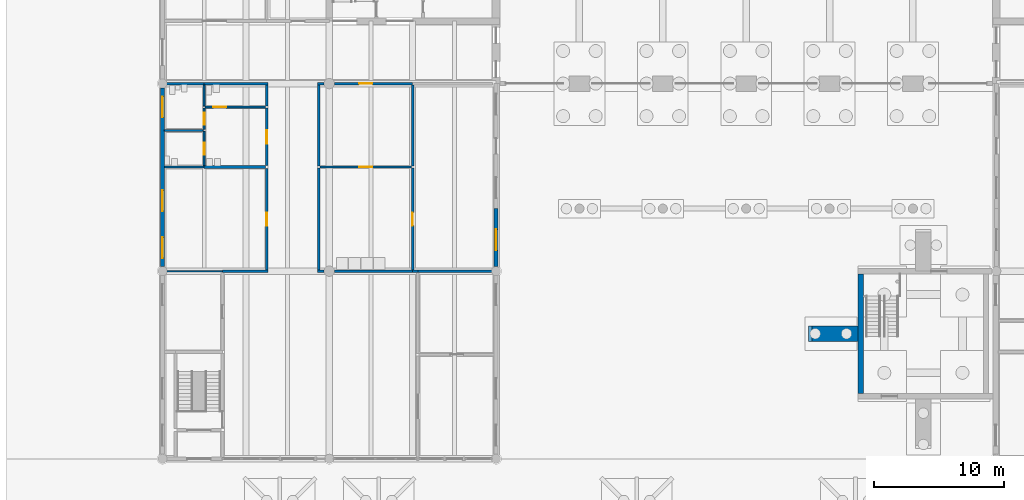
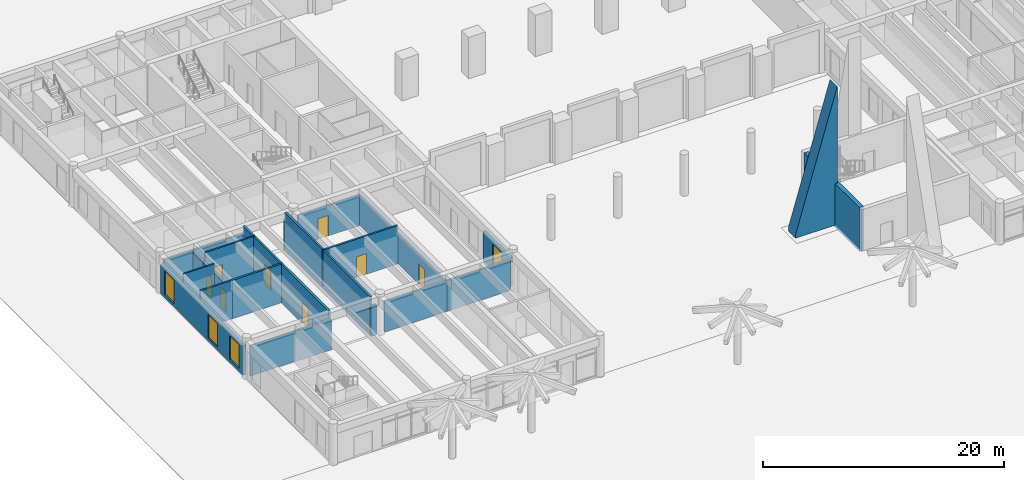
# One storey, part 13 of 28: 29 walls, 8 doors, 4 windows, 12 openings.
"""IFC4 building model written with IfcOpenShell, lengths in metres."""

from ifc_helpers import new_model, si_unit, direction, frame, frame_2d, origin, place, context, subcontext, project, spatial, polyline, rectangle, outline, extrude, material, layer, layer_set, type_object, element, fill, save


model = new_model("IFC4")

# Units and contexts
model_context = context("Model", 3, precision=1e-05, world=origin(), true_north=direction((0.0, 1.0)))
body_context = subcontext(model_context, "Body", "Model", "MODEL_VIEW")
ifc_project = project(units=[si_unit("LENGTHUNIT", "METRE"), si_unit("AREAUNIT", "SQUARE_METRE"), si_unit("VOLUMEUNIT", "CUBIC_METRE"), si_unit("PLANEANGLEUNIT", "RADIAN"), si_unit("MASSUNIT", "GRAM", prefix="KILO")], contexts=[model_context])

# Site, building, storey
site_placement = place(None, origin())
site = spatial("IfcSite", under=ifc_project, at=site_placement, CompositionType="ELEMENT")
building_placement = place(site_placement, origin())
building = spatial("IfcBuilding", under=site, at=building_placement, Name="Fogon Plaza Fire Station and Headquarters Tower", CompositionType="ELEMENT")
storey_placement = place(building_placement, origin())
storey = spatial("IfcBuildingStorey", under=building, at=storey_placement, Name="L00", CompositionType="ELEMENT", Elevation=0.0)

# Wall
ifc_material_1 = material(Name="Concrete Block Wall", Category="concrete")
ifc_layer_1 = layer(ifc_material_1, 0.14990234375)
ifc_layer_set_1 = layer_set([ifc_layer_1], Name="Concrete Block Wall")
wall_type_1 = type_object("IfcWallType", Name="Block Wall 150", PredefinedType="PARTITIONING", material=ifc_layer_set_1)
wall_1_placement = place(storey_placement, frame((0.14990234375, 25.199951171875, 0.0), z_axis=(0.0, 0.0, 1.0), x_axis=(1.0, 0.0, 0.0)))
element("IfcWall", 1, at=wall_1_placement, inside=storey, type_object=wall_type_1, Name="wall-L00-W-014", PredefinedType="PARTITIONING", context=body_context, shape_type="SweptSolid", body=[
    extrude(rectangle(XDim=2.97509765625, YDim=0.14990234375, at=frame_2d((1.487548828125, 0.0))), origin(), (0.0, 0.0, 1.0), 3.89990234375),
])

# Wall, opening, door
wall_2_placement = place(storey_placement, frame((3.27490234375, 27.0, 0.0), z_axis=(0.0, 0.0, 1.0), x_axis=(1.0, 0.0, 0.0)))
wall_2 = element("IfcWall", 2, at=wall_2_placement, inside=storey, type_object=wall_type_1, Name="wall-L00-W-015", PredefinedType="PARTITIONING", context=body_context, shape_type="SweptSolid", body=[
    extrude(rectangle(XDim=4.625, YDim=0.14990234375, at=frame_2d((2.3125, 0.0))), origin(), (0.0, 0.0, 1.0), 3.89990234375),
])
opening_1_placement = place(wall_2_placement, frame((0.625, 0.0, 0.0)))
opening_1 = element("IfcOpeningElement", 3, at=opening_1_placement, cuts=wall_2, Name="Opening L00-D70", PredefinedType="OPENING", context=body_context, shape_type="SweptSolid", body=[
    extrude(rectangle(XDim=1.0, YDim=2.10009765625, at=frame_2d((0.5, 1.050048828125))), frame((0.0, 0.0849609375, 0.0), z_axis=(0.0, -1.0, 0.0), x_axis=(1.0, 0.0, 0.0)), (0.0, 0.0, 1.0), 0.169921875),
])
ifc_material_2 = material(Name="Timber Door Leaf", Category="wood")
door_type_1 = type_object("IfcDoorType", Name="Door Sliding 1000x2100", OperationType="SINGLE_SWING_LEFT", PredefinedType="DOOR", material=ifc_material_2)
door_1_placement = place(opening_1_placement, origin())
door_1 = element("IfcDoor", 4, at=door_1_placement, inside=storey, type_object=door_type_1, Name="door-L00-W-10", OperationType="SINGLE_SWING_LEFT", OverallHeight=2.10009765625, OverallWidth=1.0, PredefinedType="DOOR", context=body_context, shape_type="SweptSolid", body=[
    extrude(rectangle(XDim=1.0, YDim=2.10009765625, at=frame_2d((0.5, 1.050048828125))), frame((0.0, 0.02490234375, 0.0), z_axis=(0.0, -1.0, 0.0), x_axis=(1.0, 0.0, 0.0)), (0.0, 0.0, 1.0), 0.050048828125),
])
fill(opening_1, door_1)

ifc_material_3 = material(Name="Concrete Block Wall", Category="concrete")
ifc_layer_2 = layer(ifc_material_3, 0.14990234375)
ifc_layer_set_2 = layer_set([ifc_layer_2], Name="Concrete Block Wall")
wall_type_2 = type_object("IfcWallType", Name="Block Wall 150 Beam Head 900", PredefinedType="PARTITIONING", material=ifc_layer_set_2)
wall_3_placement = place(storey_placement, frame((3.199951171875, 22.5, 0.0), z_axis=(0.0, 0.0, 1.0), x_axis=(0.0, 1.0, 0.0)))
wall_3 = element("IfcWall", 5, at=wall_3_placement, inside=storey, type_object=wall_type_2, Name="wall-L00-W-033", PredefinedType="PARTITIONING", context=body_context, shape_type="SweptSolid", body=[
    extrude(rectangle(XDim=2.625, YDim=0.14990234375, at=frame_2d((1.3125, 0.0))), origin(), (0.0, 0.0, 1.0), 3.0),
])
opening_2_placement = place(wall_3_placement, frame((0.85009765625, 0.0, 0.0)))
opening_2 = element("IfcOpeningElement", 6, at=opening_2_placement, cuts=wall_3, Name="Opening L00-D68", PredefinedType="OPENING", context=body_context, shape_type="SweptSolid", body=[
    extrude(rectangle(XDim=0.89990234375, YDim=2.10009765625, at=frame_2d((0.449951171875, 1.050048828125))), frame((0.0, 0.0849609375, 0.0), z_axis=(0.0, -1.0, 0.0), x_axis=(1.0, 0.0, 0.0)), (0.0, 0.0, 1.0), 0.169921875),
])
ifc_material_4 = material(Name="Timber Door Leaf", Category="wood")
door_type_2 = type_object("IfcDoorType", Name="Door WC 900x2100", OperationType="SINGLE_SWING_LEFT", PredefinedType="DOOR", material=ifc_material_4)
door_2_placement = place(opening_2_placement, origin())
door_2 = element("IfcDoor", 7, at=door_2_placement, inside=storey, type_object=door_type_2, Name="door-L00-W-08", OperationType="SINGLE_SWING_RIGHT", OverallHeight=2.10009765625, OverallWidth=0.89990234375, PredefinedType="DOOR", context=body_context, shape_type="SweptSolid", body=[
    extrude(rectangle(XDim=0.89990234375, YDim=2.10009765625, at=frame_2d((0.449951171875, 1.050048828125))), frame((0.0, 0.02490234375, 0.0), z_axis=(0.0, -1.0, 0.0), x_axis=(1.0, 0.0, 0.0)), (0.0, 0.0, 1.0), 0.050048828125),
])
fill(opening_2, door_2)

wall_4_placement = place(storey_placement, frame((3.199951171875, 25.27490234375, 0.0), z_axis=(0.0, 0.0, 1.0), x_axis=(0.0, 1.0, 0.0)))
wall_4 = element("IfcWall", 8, at=wall_4_placement, inside=storey, type_object=wall_type_2, Name="wall-L00-W-034", PredefinedType="PARTITIONING", context=body_context, shape_type="SweptSolid", body=[
    extrude(rectangle(XDim=1.650146484375, YDim=0.14990234375, at=frame_2d((0.8251953125, 0.0))), origin(), (0.0, 0.0, 1.0), 3.0),
])
opening_3_placement = place(wall_4_placement, frame((0.375, 0.0, 0.0)))
opening_3 = element("IfcOpeningElement", 9, at=opening_3_placement, cuts=wall_4, Name="Opening L00-D69", PredefinedType="OPENING", context=body_context, shape_type="SweptSolid", body=[
    extrude(rectangle(XDim=0.89990234375, YDim=2.10009765625, at=frame_2d((0.449951171875, 1.050048828125))), frame((0.0, 0.0849609375, 0.0), z_axis=(0.0, -1.0, 0.0), x_axis=(1.0, 0.0, 0.0)), (0.0, 0.0, 1.0), 0.169921875),
])
door_3_placement = place(opening_3_placement, origin())
door_3 = element("IfcDoor", 10, at=door_3_placement, inside=storey, type_object=door_type_2, Name="door-L00-W-09", OperationType="SINGLE_SWING_LEFT", OverallHeight=2.10009765625, OverallWidth=0.89990234375, PredefinedType="DOOR", context=body_context, shape_type="SweptSolid", body=[
    extrude(rectangle(XDim=0.89990234375, YDim=2.10009765625, at=frame_2d((0.449951171875, 1.050048828125))), frame((0.0, 0.02490234375, 0.0), z_axis=(0.0, -1.0, 0.0), x_axis=(1.0, 0.0, 0.0)), (0.0, 0.0, 1.0), 0.050048828125),
])
fill(opening_3, door_3)

# Wall
wall_5_placement = place(storey_placement, frame((3.199951171875, 27.074951171875, 0.0), z_axis=(0.0, 0.0, 1.0), x_axis=(0.0, 1.0, 0.0)))
element("IfcWall", 11, at=wall_5_placement, inside=storey, type_object=wall_type_2, Name="wall-L00-W-035", PredefinedType="PARTITIONING", context=body_context, shape_type="SweptSolid", body=[
    extrude(rectangle(XDim=1.625, YDim=0.14990234375, at=frame_2d((0.8125, 0.0))), origin(), (0.0, 0.0, 1.0), 3.0),
])

# Wall, openings, windows
ifc_material_5 = material(Name="Concrete C40", Category="concrete")
ifc_layer_3 = layer(ifc_material_5, 0.300048828125)
ifc_layer_set_3 = layer_set([ifc_layer_3], Name="Concrete C40")
wall_type_3 = type_object("IfcWallType", Name="Board-marked RC Infill Wall 300", PredefinedType="SOLIDWALL", material=ifc_layer_set_3)
wall_6_placement = place(storey_placement, frame((0.0, 14.75, 0.0), z_axis=(0.0, 0.0, 1.0), x_axis=(0.0, 1.0, 0.0)))
wall_6 = element("IfcWall", 12, at=wall_6_placement, inside=storey, type_object=wall_type_3, Name="Exterior wall WW L00", PredefinedType="SOLIDWALL", context=body_context, shape_type="SweptSolid", body=[
    extrude(rectangle(XDim=13.699951171875, YDim=0.300048828125, at=frame_2d((6.85009765625, 0.0))), origin(), (0.0, 0.0, 1.0), 3.0),
])
opening_4_placement = place(wall_6_placement, frame((0.64990234375, 0.0, 0.300048828125)))
opening_4 = element("IfcOpeningElement", 13, at=opening_4_placement, cuts=wall_6, Name="Opening W2", PredefinedType="OPENING", context=body_context, shape_type="SweptSolid", body=[
    extrude(rectangle(XDim=1.60009765625, YDim=2.39990234375, at=frame_2d((0.800048828125, 1.199951171875))), frame((0.0, 0.159912109375, 0.0), z_axis=(0.0, -1.0, 0.0), x_axis=(1.0, 0.0, 0.0)), (0.0, 0.0, 1.0), 0.320068359375),
])
opening_5_placement = place(wall_6_placement, frame((4.25, 0.0, 0.300048828125)))
opening_5 = element("IfcOpeningElement", 14, at=opening_5_placement, cuts=wall_6, Name="Opening W2", PredefinedType="OPENING", context=body_context, shape_type="SweptSolid", body=[
    extrude(rectangle(XDim=1.60009765625, YDim=2.39990234375, at=frame_2d((0.800048828125, 1.199951171875))), frame((0.0, 0.159912109375, 0.0), z_axis=(0.0, -1.0, 0.0), x_axis=(1.0, 0.0, 0.0)), (0.0, 0.0, 1.0), 0.320068359375),
])
opening_6_placement = place(wall_6_placement, frame((11.449951171875, 0.0, 0.300048828125)))
opening_6 = element("IfcOpeningElement", 15, at=opening_6_placement, cuts=wall_6, Name="Opening W2", PredefinedType="OPENING", context=body_context, shape_type="SweptSolid", body=[
    extrude(rectangle(XDim=1.60009765625, YDim=2.39990234375, at=frame_2d((0.800048828125, 1.199951171875))), frame((0.0, 0.159912109375, 0.0), z_axis=(0.0, -1.0, 0.0), x_axis=(1.0, 0.0, 0.0)), (0.0, 0.0, 1.0), 0.320068359375),
])
ifc_material_6 = material(Name="Aluminium framed double glazing", Category="aluminium")
window_type = type_object("IfcWindowType", Name="Window W2 1600x2400", PartitioningType="SINGLE_PANEL", PredefinedType="WINDOW", material=ifc_material_6)
window_1_placement = place(opening_4_placement, origin())
window_1 = element("IfcWindow", 16, at=window_1_placement, inside=storey, type_object=window_type, Name="Window W2 W L00", OverallHeight=2.39990234375, OverallWidth=1.60009765625, PartitioningType="SINGLE_PANEL", PredefinedType="WINDOW", context=body_context, shape_type="SweptSolid", body=[
    extrude(rectangle(XDim=1.60009765625, YDim=2.39990234375, at=frame_2d((0.800048828125, 1.199951171875))), frame((0.0, 0.030029296875, 0.0), z_axis=(0.0, -1.0, 0.0), x_axis=(1.0, 0.0, 0.0)), (0.0, 0.0, 1.0), 0.06005859375),
])
fill(opening_4, window_1)
window_2_placement = place(opening_5_placement, origin())
window_2 = element("IfcWindow", 17, at=window_2_placement, inside=storey, type_object=window_type, Name="Window W2 W L00", OverallHeight=2.39990234375, OverallWidth=1.60009765625, PartitioningType="SINGLE_PANEL", PredefinedType="WINDOW", context=body_context, shape_type="SweptSolid", body=[
    extrude(rectangle(XDim=1.60009765625, YDim=2.39990234375, at=frame_2d((0.800048828125, 1.199951171875))), frame((0.0, 0.030029296875, 0.0), z_axis=(0.0, -1.0, 0.0), x_axis=(1.0, 0.0, 0.0)), (0.0, 0.0, 1.0), 0.06005859375),
])
fill(opening_5, window_2)
window_3_placement = place(opening_6_placement, origin())
window_3 = element("IfcWindow", 18, at=window_3_placement, inside=storey, type_object=window_type, Name="Window W2 W L00", OverallHeight=2.39990234375, OverallWidth=1.60009765625, PartitioningType="SINGLE_PANEL", PredefinedType="WINDOW", context=body_context, shape_type="SweptSolid", body=[
    extrude(rectangle(XDim=1.60009765625, YDim=2.39990234375, at=frame_2d((0.800048828125, 1.199951171875))), frame((0.0, 0.030029296875, 0.0), z_axis=(0.0, -1.0, 0.0), x_axis=(1.0, 0.0, 0.0)), (0.0, 0.0, 1.0), 0.06005859375),
])
fill(opening_6, window_3)

# Wall, opening, window
wall_7_placement = place(storey_placement, frame((25.60009765625, 14.75, 0.0), z_axis=(0.0, 0.0, 1.0), x_axis=(0.0, 1.0, 0.0)))
wall_7 = element("IfcWall", 19, at=wall_7_placement, inside=storey, type_object=wall_type_3, Name="Exterior wall WE L00", PredefinedType="SOLIDWALL", context=body_context, shape_type="SweptSolid", body=[
    extrude(rectangle(XDim=4.449951171875, YDim=0.300048828125, at=frame_2d((2.22509765625, 0.0))), origin(), (0.0, 0.0, 1.0), 3.0),
])
opening_7_placement = place(wall_7_placement, frame((1.25, 0.0, 0.300048828125)))
opening_7 = element("IfcOpeningElement", 20, at=opening_7_placement, cuts=wall_7, Name="Opening W2", PredefinedType="OPENING", context=body_context, shape_type="SweptSolid", body=[
    extrude(rectangle(XDim=1.60009765625, YDim=2.39990234375, at=frame_2d((0.800048828125, 1.199951171875))), frame((0.0, 0.159912109375, 0.0), z_axis=(0.0, -1.0, 0.0), x_axis=(1.0, 0.0, 0.0)), (0.0, 0.0, 1.0), 0.320068359375),
])
window_4_placement = place(opening_7_placement, origin())
window_4 = element("IfcWindow", 21, at=window_4_placement, inside=storey, type_object=window_type, Name="Window W2 E L00", OverallHeight=2.39990234375, OverallWidth=1.60009765625, PartitioningType="SINGLE_PANEL", PredefinedType="WINDOW", context=body_context, shape_type="SweptSolid", body=[
    extrude(rectangle(XDim=1.60009765625, YDim=2.39990234375, at=frame_2d((0.800048828125, 1.199951171875))), frame((0.0, 0.030029296875, 0.0), z_axis=(0.0, -1.0, 0.0), x_axis=(1.0, 0.0, 0.0)), (0.0, 0.0, 1.0), 0.06005859375),
])
fill(opening_7, window_4)

# Walls
ifc_material_7 = material(Name="Concrete Block Fire Wall", Category="concrete")
ifc_layer_4 = layer(ifc_material_7, 0.199951171875)
ifc_layer_set_4 = layer_set([ifc_layer_4], Name="Concrete Block Fire Wall")
wall_type_4 = type_object("IfcWallType", Name="Compartment Wall EI 120 Beam Head 800", PredefinedType="PARTITIONING", material=ifc_layer_set_4)
wall_8_placement = place(storey_placement, frame((19.199951171875, 14.39990234375, 0.0), z_axis=(0.0, 0.0, 1.0), x_axis=(1.0, 0.0, 0.0)))
element("IfcWall", 22, at=wall_8_placement, inside=storey, type_object=wall_type_4, Name="wall-L00-W-009", PredefinedType="PARTITIONING", context=body_context, shape_type="SweptSolid", body=[
    extrude(rectangle(XDim=0.400146484375, YDim=0.199951171875, at=frame_2d((0.2001953125, 0.0))), origin(), (0.0, 0.0, 1.0), 3.10009765625),
])
wall_9_placement = place(storey_placement, frame((19.60009765625, 14.39990234375, 0.0), z_axis=(0.0, 0.0, 1.0), x_axis=(1.0, 0.0, 0.0)))
element("IfcWall", 23, at=wall_9_placement, inside=storey, type_object=wall_type_4, Name="wall-L00-W-010", PredefinedType="PARTITIONING", context=body_context, shape_type="SweptSolid", body=[
    extrude(rectangle(XDim=5.679931640625, YDim=0.199951171875, at=frame_2d((2.83984375, 0.0))), origin(), (0.0, 0.0, 1.0), 3.10009765625),
])

# Wall, opening, door
ifc_material_8 = material(Name="Concrete Block Fire Wall", Category="concrete")
ifc_layer_5 = layer(ifc_material_8, 0.199951171875)
ifc_layer_set_5 = layer_set([ifc_layer_5], Name="Concrete Block Fire Wall")
wall_type_5 = type_object("IfcWallType", Name="Compartment Wall EI 120 Beam Head 900", PredefinedType="PARTITIONING", material=ifc_layer_set_5)
wall_10_placement = place(storey_placement, frame((19.199951171875, 14.5, 0.0), z_axis=(0.0, 0.0, 1.0), x_axis=(0.0, 1.0, 0.0)))
wall_10 = element("IfcWall", 24, at=wall_10_placement, inside=storey, type_object=wall_type_5, Name="wall-L00-W-050", PredefinedType="PARTITIONING", context=body_context, shape_type="SweptSolid", body=[
    extrude(rectangle(XDim=7.8125, YDim=0.199951171875, at=frame_2d((3.90625, 0.0))), origin(), (0.0, 0.0, 1.0), 3.0),
])
opening_8_placement = place(wall_10_placement, frame((3.39990234375, 0.0, 0.0)))
opening_8 = element("IfcOpeningElement", 25, at=opening_8_placement, cuts=wall_10, Name="Opening L00-D71", PredefinedType="OPENING", context=body_context, shape_type="SweptSolid", body=[
    extrude(rectangle(XDim=1.0, YDim=2.10009765625, at=frame_2d((0.5, 1.050048828125))), frame((0.0, 0.10986328125, 0.0), z_axis=(0.0, -1.0, 0.0), x_axis=(1.0, 0.0, 0.0)), (0.0, 0.0, 1.0), 0.219970703125),
])
ifc_material_9 = material(Name="Steel Fire Door Leaf", Category="steel")
door_type_3 = type_object("IfcDoorType", Name="Fire Door EI 90 1000x2100", OperationType="SINGLE_SWING_LEFT", PredefinedType="DOOR", material=ifc_material_9)
door_4_placement = place(opening_8_placement, origin())
door_4 = element("IfcDoor", 26, at=door_4_placement, inside=storey, type_object=door_type_3, Name="door-L00-W-11", OperationType="SINGLE_SWING_LEFT", OverallHeight=2.10009765625, OverallWidth=1.0, PredefinedType="DOOR", context=body_context, shape_type="SweptSolid", body=[
    extrude(rectangle(XDim=1.0, YDim=2.10009765625, at=frame_2d((0.5, 1.050048828125))), frame((0.0, 0.02490234375, 0.0), z_axis=(0.0, -1.0, 0.0), x_axis=(1.0, 0.0, 0.0)), (0.0, 0.0, 1.0), 0.050048828125),
])
fill(opening_8, door_4)

# Walls
wall_11_placement = place(storey_placement, frame((19.199951171875, 22.487548828125, 0.0), z_axis=(0.0, 0.0, 1.0), x_axis=(0.0, 1.0, 0.0)))
element("IfcWall", 27, at=wall_11_placement, inside=storey, type_object=wall_type_5, Name="wall-L00-W-051", PredefinedType="PARTITIONING", context=body_context, shape_type="SweptSolid", body=[
    extrude(rectangle(XDim=6.21240234375, YDim=0.199951171875, at=frame_2d((3.106201171875, 0.0))), origin(), (0.0, 0.0, 1.0), 3.0),
])
ifc_material_10 = material(Name="Gypsum Board Fire Partition")
ifc_layer_6 = layer(ifc_material_10, 0.199951171875)
ifc_layer_set_6 = layer_set([ifc_layer_6], Name="Gypsum Board Fire Partition")
wall_type_6 = type_object("IfcWallType", Name="Corridor Wall EI 60", PredefinedType="PARTITIONING", material=ifc_layer_set_6)
wall_12_placement = place(storey_placement, frame((3.199951171875, 22.39990234375, 0.0), z_axis=(0.0, 0.0, 1.0), x_axis=(1.0, 0.0, 0.0)))
element("IfcWall", 28, at=wall_12_placement, inside=storey, type_object=wall_type_6, Name="wall-L00-W-012", PredefinedType="PARTITIONING", context=body_context, shape_type="SweptSolid", body=[
    extrude(rectangle(XDim=4.699951171875, YDim=0.199951171875, at=frame_2d((2.35009765625, 0.0))), origin(), (0.0, 0.0, 1.0), 3.89990234375),
])

# Wall, opening, door
wall_13_placement = place(storey_placement, frame((8.0, 14.5, 0.0), z_axis=(0.0, 0.0, 1.0), x_axis=(0.0, 1.0, 0.0)))
wall_13 = element("IfcWall", 29, at=wall_13_placement, inside=storey, type_object=wall_type_6, Name="wall-L00-W-043", PredefinedType="PARTITIONING", context=body_context, shape_type="SweptSolid", body=[
    extrude(rectangle(XDim=7.800048828125, YDim=0.199951171875, at=frame_2d((3.89990234375, 0.0))), origin(), (0.0, 0.0, 1.0), 3.89990234375),
])
opening_9_placement = place(wall_13_placement, frame((3.39990234375, 0.0, 0.0)))
opening_9 = element("IfcOpeningElement", 30, at=opening_9_placement, cuts=wall_13, Name="Opening L00-D66", PredefinedType="OPENING", context=body_context, shape_type="SweptSolid", body=[
    extrude(rectangle(XDim=1.0, YDim=2.10009765625, at=frame_2d((0.5, 1.050048828125))), frame((0.0, 0.10986328125, 0.0), z_axis=(0.0, -1.0, 0.0), x_axis=(1.0, 0.0, 0.0)), (0.0, 0.0, 1.0), 0.219970703125),
])
ifc_material_11 = material(Name="Steel Fire Door Leaf", Category="steel")
door_type_4 = type_object("IfcDoorType", Name="Corridor Door EI 20 1000x2100", OperationType="SINGLE_SWING_LEFT", PredefinedType="DOOR", material=ifc_material_11)
door_5_placement = place(opening_9_placement, origin())
door_5 = element("IfcDoor", 31, at=door_5_placement, inside=storey, type_object=door_type_4, Name="door-L00-W-06", OperationType="SINGLE_SWING_RIGHT", OverallHeight=2.10009765625, OverallWidth=1.0, PredefinedType="DOOR", context=body_context, shape_type="SweptSolid", body=[
    extrude(rectangle(XDim=1.0, YDim=2.10009765625, at=frame_2d((0.5, 1.050048828125))), frame((0.0, 0.02490234375, 0.0), z_axis=(0.0, -1.0, 0.0), x_axis=(1.0, 0.0, 0.0)), (0.0, 0.0, 1.0), 0.050048828125),
])
fill(opening_9, door_5)

wall_14_placement = place(storey_placement, frame((8.0, 22.5, 0.0), z_axis=(0.0, 0.0, 1.0), x_axis=(0.0, 1.0, 0.0)))
wall_14 = element("IfcWall", 32, at=wall_14_placement, inside=storey, type_object=wall_type_6, Name="wall-L00-W-044", PredefinedType="PARTITIONING", context=body_context, shape_type="SweptSolid", body=[
    extrude(rectangle(XDim=4.425048828125, YDim=0.199951171875, at=frame_2d((2.21240234375, 0.0))), origin(), (0.0, 0.0, 1.0), 3.89990234375),
])
opening_10_placement = place(wall_14_placement, frame((1.699951171875, 0.0, 0.0)))
opening_10 = element("IfcOpeningElement", 33, at=opening_10_placement, cuts=wall_14, Name="Opening L00-D67", PredefinedType="OPENING", context=body_context, shape_type="SweptSolid", body=[
    extrude(rectangle(XDim=1.0, YDim=2.10009765625, at=frame_2d((0.5, 1.050048828125))), frame((0.0, 0.10986328125, 0.0), z_axis=(0.0, -1.0, 0.0), x_axis=(1.0, 0.0, 0.0)), (0.0, 0.0, 1.0), 0.219970703125),
])
door_6_placement = place(opening_10_placement, origin())
door_6 = element("IfcDoor", 34, at=door_6_placement, inside=storey, type_object=door_type_4, Name="door-L00-W-07", OperationType="SINGLE_SWING_LEFT", OverallHeight=2.10009765625, OverallWidth=1.0, PredefinedType="DOOR", context=body_context, shape_type="SweptSolid", body=[
    extrude(rectangle(XDim=1.0, YDim=2.10009765625, at=frame_2d((0.5, 1.050048828125))), frame((0.0, 0.02490234375, 0.0), z_axis=(0.0, -1.0, 0.0), x_axis=(1.0, 0.0, 0.0)), (0.0, 0.0, 1.0), 0.050048828125),
])
fill(opening_10, door_6)

# Walls
wall_15_placement = place(storey_placement, frame((8.0, 27.074951171875, 0.0), z_axis=(0.0, 0.0, 1.0), x_axis=(0.0, 1.0, 0.0)))
element("IfcWall", 35, at=wall_15_placement, inside=storey, type_object=wall_type_6, Name="wall-L00-W-045", PredefinedType="PARTITIONING", context=body_context, shape_type="SweptSolid", body=[
    extrude(rectangle(XDim=1.625, YDim=0.199951171875, at=frame_2d((0.8125, 0.0))), origin(), (0.0, 0.0, 1.0), 3.89990234375),
])
wall_16_placement = place(storey_placement, frame((12.0, 14.5, 0.0), z_axis=(0.0, 0.0, 1.0), x_axis=(0.0, 1.0, 0.0)))
element("IfcWall", 36, at=wall_16_placement, inside=storey, type_object=wall_type_6, Name="wall-L00-W-047", PredefinedType="PARTITIONING", context=body_context, shape_type="SweptSolid", body=[
    extrude(rectangle(XDim=7.8125, YDim=0.199951171875, at=frame_2d((3.90625, 0.0))), origin(), (0.0, 0.0, 1.0), 3.89990234375),
])
wall_17_placement = place(storey_placement, frame((12.0, 22.487548828125, 0.0), z_axis=(0.0, 0.0, 1.0), x_axis=(0.0, 1.0, 0.0)))
element("IfcWall", 37, at=wall_17_placement, inside=storey, type_object=wall_type_6, Name="wall-L00-W-048", PredefinedType="PARTITIONING", context=body_context, shape_type="SweptSolid", body=[
    extrude(rectangle(XDim=6.21240234375, YDim=0.199951171875, at=frame_2d((3.106201171875, 0.0))), origin(), (0.0, 0.0, 1.0), 3.89990234375),
])
ifc_material_12 = material(Name="Gypsum Board Fire Partition")
ifc_layer_7 = layer(ifc_material_12, 0.199951171875)
ifc_layer_set_7 = layer_set([ifc_layer_7], Name="Gypsum Board Fire Partition")
wall_type_7 = type_object("IfcWallType", Name="Corridor Wall EI 60 Beam Head 800", PredefinedType="PARTITIONING", material=ifc_layer_set_7)
wall_18_placement = place(storey_placement, frame((4.60009765625, 14.39990234375, 0.0), z_axis=(0.0, 0.0, 1.0), x_axis=(1.0, 0.0, 0.0)))
element("IfcWall", 38, at=wall_18_placement, inside=storey, type_object=wall_type_7, Name="wall-L00-W-006", PredefinedType="PARTITIONING", context=body_context, shape_type="SweptSolid", body=[
    extrude(rectangle(XDim=3.5, YDim=0.199951171875, at=frame_2d((1.75, 0.0))), origin(), (0.0, 0.0, 1.0), 3.10009765625),
])
wall_19_placement = place(storey_placement, frame((11.89990234375, 14.39990234375, 0.0), z_axis=(0.0, 0.0, 1.0), x_axis=(1.0, 0.0, 0.0)))
element("IfcWall", 39, at=wall_19_placement, inside=storey, type_object=wall_type_7, Name="wall-L00-W-007", PredefinedType="PARTITIONING", context=body_context, shape_type="SweptSolid", body=[
    extrude(rectangle(XDim=0.5, YDim=0.199951171875, at=frame_2d((0.25, 0.0))), origin(), (0.0, 0.0, 1.0), 3.10009765625),
])
wall_20_placement = place(storey_placement, frame((13.199951171875, 14.39990234375, 0.0), z_axis=(0.0, 0.0, 1.0), x_axis=(1.0, 0.0, 0.0)))
element("IfcWall", 40, at=wall_20_placement, inside=storey, type_object=wall_type_7, Name="wall-L00-W-008", PredefinedType="PARTITIONING", context=body_context, shape_type="SweptSolid", body=[
    extrude(rectangle(XDim=6.0, YDim=0.199951171875, at=frame_2d((3.0, 0.0))), origin(), (0.0, 0.0, 1.0), 3.10009765625),
])
wall_21_placement = place(storey_placement, frame((0.320068359375, 28.800048828125, 0.0), z_axis=(0.0, 0.0, 1.0), x_axis=(1.0, 0.0, 0.0)))
element("IfcWall", 41, at=wall_21_placement, inside=storey, type_object=wall_type_7, Name="wall-L00-W-016", PredefinedType="PARTITIONING", context=body_context, shape_type="SweptSolid", body=[
    extrude(rectangle(XDim=2.8798828125, YDim=0.199951171875, at=frame_2d((1.43994140625, 0.0))), origin(), (0.0, 0.0, 1.0), 3.10009765625),
])
wall_22_placement = place(storey_placement, frame((3.199951171875, 28.800048828125, 0.0), z_axis=(0.0, 0.0, 1.0), x_axis=(1.0, 0.0, 0.0)))
element("IfcWall", 42, at=wall_22_placement, inside=storey, type_object=wall_type_7, Name="wall-L00-W-017", PredefinedType="PARTITIONING", context=body_context, shape_type="SweptSolid", body=[
    extrude(rectangle(XDim=4.900146484375, YDim=0.199951171875, at=frame_2d((2.4501953125, 0.0))), origin(), (0.0, 0.0, 1.0), 3.10009765625),
])
wall_23_placement = place(storey_placement, frame((11.89990234375, 28.800048828125, 0.0), z_axis=(0.0, 0.0, 1.0), x_axis=(1.0, 0.0, 0.0)))
element("IfcWall", 43, at=wall_23_placement, inside=storey, type_object=wall_type_7, Name="wall-L00-W-018", PredefinedType="PARTITIONING", context=body_context, shape_type="SweptSolid", body=[
    extrude(rectangle(XDim=0.5, YDim=0.199951171875, at=frame_2d((0.25, 0.0))), origin(), (0.0, 0.0, 1.0), 3.10009765625),
])

# Wall, opening, door
wall_24_placement = place(storey_placement, frame((13.199951171875, 28.800048828125, 0.0), z_axis=(0.0, 0.0, 1.0), x_axis=(1.0, 0.0, 0.0)))
wall_24 = element("IfcWall", 44, at=wall_24_placement, inside=storey, type_object=wall_type_7, Name="wall-L00-W-019", PredefinedType="PARTITIONING", context=body_context, shape_type="SweptSolid", body=[
    extrude(rectangle(XDim=6.0, YDim=0.199951171875, at=frame_2d((3.0, 0.0))), origin(), (0.0, 0.0, 1.0), 3.10009765625),
])
opening_11_placement = place(wall_24_placement, frame((1.89990234375, 0.0, 0.0)))
opening_11 = element("IfcOpeningElement", 45, at=opening_11_placement, cuts=wall_24, Name="Opening L00-D73", PredefinedType="OPENING", context=body_context, shape_type="SweptSolid", body=[
    extrude(rectangle(XDim=1.0, YDim=2.10009765625, at=frame_2d((0.5, 1.050048828125))), frame((0.0, 0.10986328125, 0.0), z_axis=(0.0, -1.0, 0.0), x_axis=(1.0, 0.0, 0.0)), (0.0, 0.0, 1.0), 0.219970703125),
])
door_7_placement = place(opening_11_placement, frame((1.0, 0.0, 0.0), z_axis=(0.0, 0.0, 1.0), x_axis=(-1.0, 0.0, 0.0)))
door_7 = element("IfcDoor", 46, at=door_7_placement, inside=storey, type_object=door_type_4, Name="door-L00-W-13", OperationType="SINGLE_SWING_RIGHT", OverallHeight=2.10009765625, OverallWidth=1.0, PredefinedType="DOOR", context=body_context, shape_type="SweptSolid", body=[
    extrude(rectangle(XDim=1.0, YDim=2.10009765625, at=frame_2d((0.5, 1.050048828125))), frame((0.0, 0.02490234375, 0.0), z_axis=(0.0, -1.0, 0.0), x_axis=(1.0, 0.0, 0.0)), (0.0, 0.0, 1.0), 0.050048828125),
])
fill(opening_11, door_7)

# Walls
ifc_material_13 = material(Name="Gypsum Board Partition")
ifc_layer_8 = layer(ifc_material_13, 0.10009765625)
ifc_layer_set_8 = layer_set([ifc_layer_8], Name="Gypsum Board Partition")
wall_type_8 = type_object("IfcWallType", Name="Partition Gypsum 100 Beam Head 800", PredefinedType="PARTITIONING", material=ifc_layer_set_8)
wall_25_placement = place(storey_placement, frame((0.320068359375, 14.39990234375, 0.0), z_axis=(0.0, 0.0, 1.0), x_axis=(1.0, 0.0, 0.0)))
element("IfcWall", 47, at=wall_25_placement, inside=storey, type_object=wall_type_8, Name="wall-L00-W-005", PredefinedType="PARTITIONING", context=body_context, shape_type="SweptSolid", body=[
    extrude(rectangle(XDim=4.280029296875, YDim=0.10009765625, at=frame_2d((2.14013671875, 0.0))), origin(), (0.0, 0.0, 1.0), 3.10009765625),
])
ifc_material_14 = material(Name="Concrete C40", Category="concrete")
ifc_layer_9 = layer(ifc_material_14, 1.199951171875)
ifc_layer_set_9 = layer_set([ifc_layer_9], Name="Concrete C40")
wall_type_9 = type_object("IfcWallType", Name="Shear wall 1200 BT120", PredefinedType="SHEAR", material=ifc_layer_set_9)
wall_26_placement = place(storey_placement, frame((49.60009765625, 9.60009765625, 0.0), z_axis=(0.0, 0.0, 1.0), x_axis=(1.0, 0.0, 0.0)))
element("IfcWall", 48, at=wall_26_placement, inside=storey, type_object=wall_type_9, Name="wall-drill-buttress-west", PredefinedType="SHEAR", context=body_context, shape_type="SweptSolid", body=[
    extrude(outline(polyline([(0.0, 0.0), (4.0, 0.0), (4.0, 14.0), (0.0, 0.39990234375), (0.0, 0.0)])), frame((0.0, 0.60009765625, 0.0), z_axis=(0.0, -1.0, 0.0), x_axis=(1.0, 0.0, 0.0)), (0.0, 0.0, 1.0), 1.199951171875),
])
ifc_material_15 = material(Name="Concrete C40", Category="concrete")
ifc_layer_10 = layer(ifc_material_15, 0.39990234375)
ifc_layer_set_10 = layer_set([ifc_layer_10], Name="Concrete C40")
wall_type_10 = type_object("IfcWallType", Name="Shear wall 400 DW40", PredefinedType="SHEAR", material=ifc_layer_set_10)
wall_27_placement = place(storey_placement, frame((53.60009765625, 5.0, -0.25), z_axis=(0.0, 0.0, 1.0), x_axis=(0.0, 1.0, 0.0)))
element("IfcWall", 49, at=wall_27_placement, inside=storey, type_object=wall_type_10, Name="wall-drill-W-L00", PredefinedType="SHEAR", context=body_context, shape_type="SweptSolid", body=[
    extrude(rectangle(XDim=9.199951171875, YDim=0.39990234375, at=frame_2d((4.60009765625, 0.0))), origin(), (0.0, 0.0, 1.0), 4.449951171875),
])
ifc_material_16 = material(Name="Tiled Concrete Block Wall", Category="concrete")
ifc_layer_11 = layer(ifc_material_16, 0.175048828125)
ifc_layer_set_11 = layer_set([ifc_layer_11], Name="Tiled Concrete Block Wall")
wall_type_11 = type_object("IfcWallType", Name="Wet Area Block Wall 175", PredefinedType="PARTITIONING", material=ifc_layer_set_11)
wall_28_placement = place(storey_placement, frame((0.14990234375, 22.39990234375, 0.0), z_axis=(0.0, 0.0, 1.0), x_axis=(1.0, 0.0, 0.0)))
element("IfcWall", 50, at=wall_28_placement, inside=storey, type_object=wall_type_11, Name="wall-L00-W-011", PredefinedType="PARTITIONING", context=body_context, shape_type="SweptSolid", body=[
    extrude(rectangle(XDim=3.050048828125, YDim=0.175048828125, at=frame_2d((1.52490234375, 0.0))), origin(), (0.0, 0.0, 1.0), 3.89990234375),
])

# Wall, opening, door
wall_29_placement = place(storey_placement, frame((12.10009765625, 22.39990234375, 0.0), z_axis=(0.0, 0.0, 1.0), x_axis=(1.0, 0.0, 0.0)))
wall_29 = element("IfcWall", 51, at=wall_29_placement, inside=storey, type_object=wall_type_11, Name="wall-L00-W-013", PredefinedType="PARTITIONING", context=body_context, shape_type="SweptSolid", body=[
    extrude(rectangle(XDim=7.0, YDim=0.175048828125, at=frame_2d((3.5, 0.0))), origin(), (0.0, 0.0, 1.0), 3.89990234375),
])
opening_12_placement = place(wall_29_placement, frame((3.0, 0.0, 0.0)))
opening_12 = element("IfcOpeningElement", 52, at=opening_12_placement, cuts=wall_29, Name="Opening L00-D72", PredefinedType="OPENING", context=body_context, shape_type="SweptSolid", body=[
    extrude(rectangle(XDim=1.0, YDim=2.10009765625, at=frame_2d((0.5, 1.050048828125))), frame((0.0, 0.097412109375, 0.0), z_axis=(0.0, -1.0, 0.0), x_axis=(1.0, 0.0, 0.0)), (0.0, 0.0, 1.0), 0.195068359375),
])
ifc_material_17 = material(Name="Timber Door Leaf", Category="wood")
door_type_5 = type_object("IfcDoorType", Name="Door Single 1000x2100", OperationType="SINGLE_SWING_LEFT", PredefinedType="DOOR", material=ifc_material_17)
door_8_placement = place(opening_12_placement, origin())
door_8 = element("IfcDoor", 53, at=door_8_placement, inside=storey, type_object=door_type_5, Name="door-L00-W-12", OperationType="SINGLE_SWING_RIGHT", OverallHeight=2.10009765625, OverallWidth=1.0, PredefinedType="DOOR", context=body_context, shape_type="SweptSolid", body=[
    extrude(rectangle(XDim=1.0, YDim=2.10009765625, at=frame_2d((0.5, 1.050048828125))), frame((0.0, 0.02490234375, 0.0), z_axis=(0.0, -1.0, 0.0), x_axis=(1.0, 0.0, 0.0)), (0.0, 0.0, 1.0), 0.050048828125),
])
fill(opening_12, door_8)

save(model, "model.ifc")
